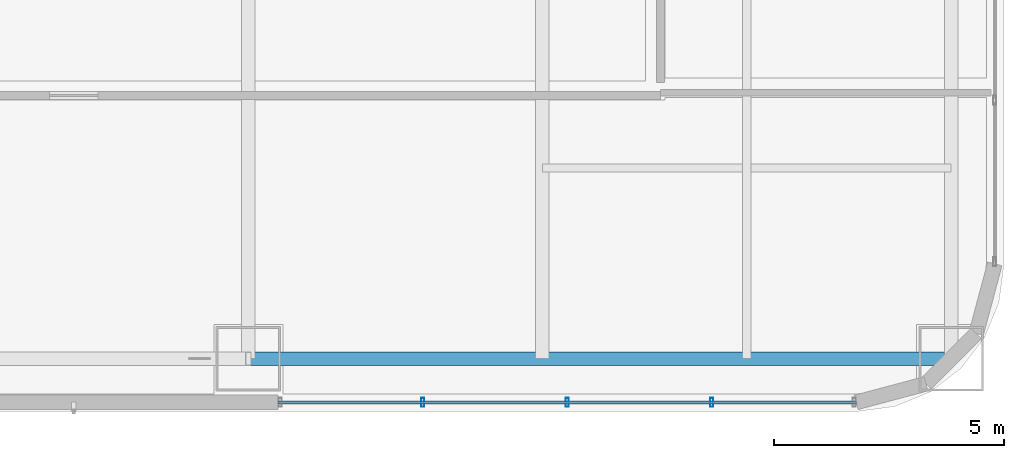
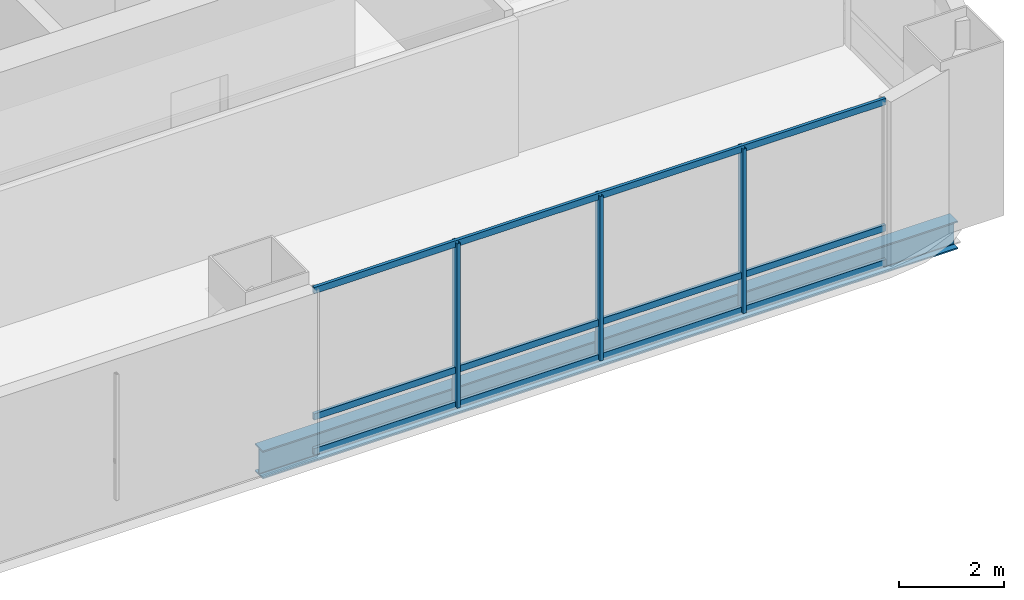
# One storey, part 14 of 38: 6 members, 1 beam, 1 element without a shape of its own.
"""IFC4 building model written with IfcOpenShell, lengths in metres."""

from ifc_helpers import new_model, si_unit, direction, frame, origin, origin_2d, place, context, subcontext, project, spatial, hollow_rectangle, i_section, extrude, material, material_profile, profile_set, type_object, element, aggregate, save


model = new_model("IFC4")

# Units and contexts
model_context = context("Model", 3, precision=1e-05, world=origin(), true_north=direction((0.0, 1.0)))
body_context = subcontext(model_context, "Body", "Model", "MODEL_VIEW")
ifc_project = project(units=[si_unit("LENGTHUNIT", "METRE"), si_unit("AREAUNIT", "SQUARE_METRE"), si_unit("VOLUMEUNIT", "CUBIC_METRE"), si_unit("PLANEANGLEUNIT", "RADIAN"), si_unit("MASSUNIT", "GRAM", prefix="KILO")], contexts=[model_context])

# Site, building, storey
site_placement = place(None, origin())
site = spatial("IfcSite", under=ifc_project, at=site_placement, CompositionType="ELEMENT")
building_placement = place(site_placement, origin())
building = spatial("IfcBuilding", under=site, at=building_placement, Name="Punatoya Terracotta Tower", CompositionType="ELEMENT")
storey_placement = place(building_placement, frame((0.0, 0.0, 156.0)))
storey = spatial("IfcBuildingStorey", under=building, at=storey_placement, Name="L36", CompositionType="ELEMENT", Elevation=156.0)

# Beam
ifc_material_1 = material(Name="Steel S355", Category="steel")
ifc_material_profile_1 = material_profile(ifc_material_1, i_section(OverallWidth=0.300048828125, OverallDepth=0.64990234375, WebThickness=0.01611328125, FlangeThickness=0.031005859375, FilletRadius=0.01806640625, at=origin_2d()))
ifc_profile_set_1 = profile_set([ifc_material_profile_1], Name="Steel S355")
beam_type = type_object("IfcBeamType", Name="BM-PRI-650", PredefinedType="BEAM", material=ifc_profile_set_1)
beam_placement = place(storey_placement, frame((3.800048828125, -17.5, -0.544921875), z_axis=(1.0, 0.0, 0.0), x_axis=(0.0, 1.0, 0.0)))
element("IfcBeam", 1, at=beam_placement, inside=storey, type_object=beam_type, Name="BM-L36-RG-S3", PredefinedType="BEAM", context=body_context, shape_type="SweptSolid", body=[
    extrude(i_section(OverallWidth=0.300048828125, OverallDepth=0.64990234375, WebThickness=0.01611328125, FlangeThickness=0.031005859375, FilletRadius=0.01806640625, at=origin_2d()), origin(), (0.0, 0.0, 1.0), 15.300048828125),
])

# Curtain wall, members
ifc_material_2 = material(Name="Aluminium 6063-T6 + Double Low-E Glass", Category="aluminium")
curtain_wall_type = type_object("IfcCurtainWallType", Name="CW-M2", PredefinedType="NOTDEFINED", material=ifc_material_2)
curtain_wall_placement = place(storey_placement, origin())
curtain_wall = element("IfcCurtainWall", 2, at=curtain_wall_placement, inside=storey, type_object=curtain_wall_type, Name="L36 Curtain Wall CW-L36-S01-2", PredefinedType="NOTDEFINED")
ifc_material_3 = material(Name="Aluminium 6063-T6", Category="aluminium")
ifc_material_profile_2 = material_profile(ifc_material_3, hollow_rectangle(XDim=0.072021484375, YDim=0.195068359375, WallThickness=0.00439453125, at=origin_2d()))
ifc_profile_set_2 = profile_set([ifc_material_profile_2], Name="Aluminium 6063-T6")
member_type_1 = type_object("IfcMemberType", Name="CW-MUL-M2", PredefinedType="MULLION", material=ifc_profile_set_2)
member_1_placement = place(storey_placement, frame((7.5966796875, -18.449951171875, 0.0), z_axis=(0.0, 0.0, 1.0), x_axis=(1.0, 0.0, 0.0)))
member_1 = element("IfcMember", 3, at=member_1_placement, type_object=member_type_1, Name="CW-L36-S01-2 Mullion 01", PredefinedType="MULLION", context=body_context, shape_type="SweptSolid", body=[
    extrude(hollow_rectangle(XDim=0.072021484375, YDim=0.195068359375, WallThickness=0.00439453125, at=origin_2d()), origin(), (0.0, 0.0, 1.0), 3.830078125),
])
member_2_placement = place(storey_placement, frame((10.743408203125, -18.449951171875, 0.0), z_axis=(0.0, 0.0, 1.0), x_axis=(1.0, 0.0, 0.0)))
member_2 = element("IfcMember", 4, at=member_2_placement, type_object=member_type_1, Name="CW-L36-S01-2 Mullion 02", PredefinedType="MULLION", context=body_context, shape_type="SweptSolid", body=[
    extrude(hollow_rectangle(XDim=0.072021484375, YDim=0.195068359375, WallThickness=0.00439453125, at=origin_2d()), origin(), (0.0, 0.0, 1.0), 3.830078125),
])
member_3_placement = place(storey_placement, frame((13.89013671875, -18.449951171875, 0.0), z_axis=(0.0, 0.0, 1.0), x_axis=(1.0, 0.0, 0.0)))
member_3 = element("IfcMember", 5, at=member_3_placement, type_object=member_type_1, Name="CW-L36-S01-2 Mullion 03", PredefinedType="MULLION", context=body_context, shape_type="SweptSolid", body=[
    extrude(hollow_rectangle(XDim=0.072021484375, YDim=0.195068359375, WallThickness=0.00439453125, at=origin_2d()), origin(), (0.0, 0.0, 1.0), 3.830078125),
])
ifc_material_profile_3 = material_profile(ifc_material_3, hollow_rectangle(XDim=0.068115234375, YDim=0.14990234375, WallThickness=0.00390625, at=origin_2d()))
ifc_profile_set_3 = profile_set([ifc_material_profile_3], Name="Aluminium 6063-T6")
member_type_2 = type_object("IfcMemberType", Name="CW-TRN-TYP", PredefinedType="USERDEFINED", material=ifc_profile_set_3)
member_4_placement = place(storey_placement, frame((4.449951171875, -18.449951171875, 0.0400390625), z_axis=(1.0, 0.0, 0.0), x_axis=(0.0, 1.0, 0.0)))
member_4 = element("IfcMember", 6, at=member_4_placement, type_object=member_type_2, Name="CW-L36-S01-2 Transom 1", ObjectType="TRANSOM", PredefinedType="USERDEFINED", context=body_context, shape_type="SweptSolid", body=[
    extrude(hollow_rectangle(XDim=0.068115234375, YDim=0.14990234375, WallThickness=0.00390625, at=origin_2d()), origin(), (0.0, 0.0, 1.0), 12.5869140625),
])
member_5_placement = place(storey_placement, frame((4.449951171875, -18.449951171875, 0.85009765625), z_axis=(1.0, 0.0, 0.0), x_axis=(0.0, 1.0, 0.0)))
member_5 = element("IfcMember", 7, at=member_5_placement, type_object=member_type_2, Name="CW-L36-S01-2 Transom 2", ObjectType="TRANSOM", PredefinedType="USERDEFINED", context=body_context, shape_type="SweptSolid", body=[
    extrude(hollow_rectangle(XDim=0.068115234375, YDim=0.14990234375, WallThickness=0.00390625, at=origin_2d()), origin(), (0.0, 0.0, 1.0), 12.5869140625),
])
member_6_placement = place(storey_placement, frame((4.449951171875, -18.449951171875, 3.7900390625), z_axis=(1.0, 0.0, 0.0), x_axis=(0.0, 1.0, 0.0)))
member_6 = element("IfcMember", 8, at=member_6_placement, type_object=member_type_2, Name="CW-L36-S01-2 Transom 3", ObjectType="TRANSOM", PredefinedType="USERDEFINED", context=body_context, shape_type="SweptSolid", body=[
    extrude(hollow_rectangle(XDim=0.068115234375, YDim=0.14990234375, WallThickness=0.00390625, at=origin_2d()), origin(), (0.0, 0.0, 1.0), 12.5869140625),
])
aggregate(curtain_wall, [member_1, member_2, member_3, member_4, member_5, member_6])

save(model, "model.ifc")
